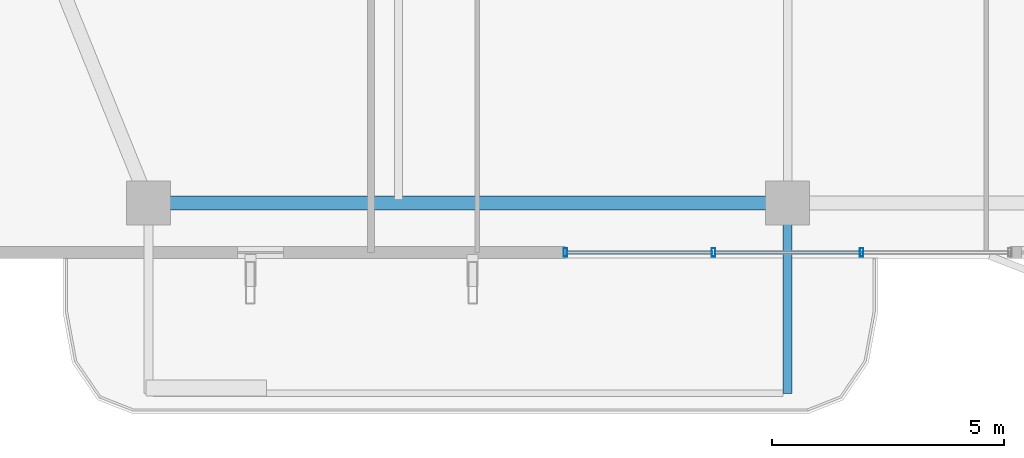
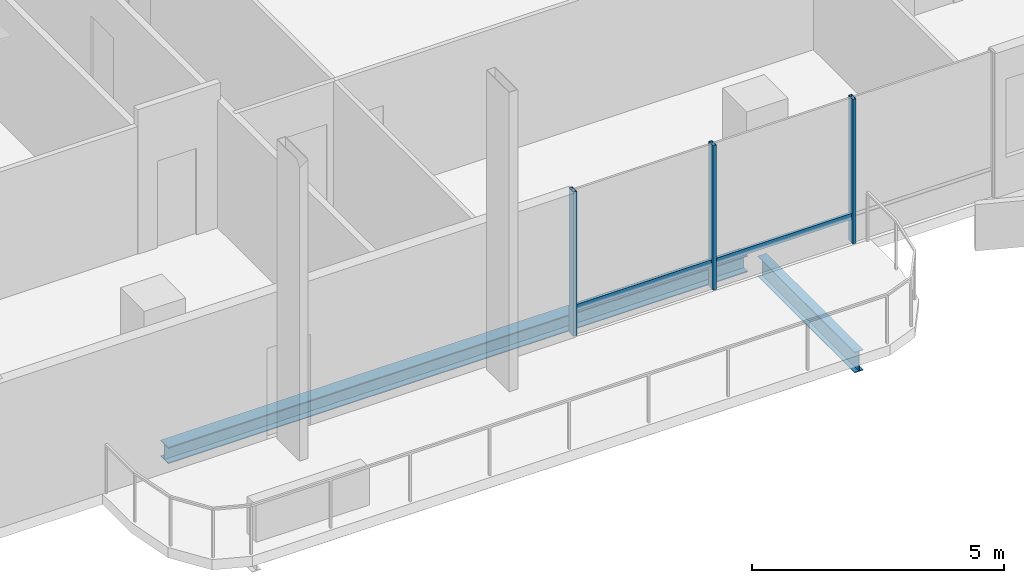
# One storey, part 2 of 25: 5 members, 2 beams, 1 element without a shape of its own.
"""IFC4 building model written with IfcOpenShell, lengths in metres."""

from ifc_helpers import new_model, si_unit, direction, frame, origin, origin_2d, place, context, subcontext, project, spatial, hollow_rectangle, i_section, extrude, material, layer, layer_set, material_profile, profile_set, type_object, element, aggregate, save


model = new_model("IFC4")

# Units and contexts
model_context = context("Model", 3, precision=1e-05, world=origin(), true_north=direction((0.0, 1.0)))
body_context = subcontext(model_context, "Body", "Model", "MODEL_VIEW")
ifc_project = project(units=[si_unit("LENGTHUNIT", "METRE"), si_unit("AREAUNIT", "SQUARE_METRE"), si_unit("VOLUMEUNIT", "CUBIC_METRE"), si_unit("PLANEANGLEUNIT", "RADIAN"), si_unit("MASSUNIT", "GRAM", prefix="KILO")], contexts=[model_context])

# Site, building, storey
site_placement = place(None, origin())
site = spatial("IfcSite", under=ifc_project, at=site_placement, CompositionType="ELEMENT")
building_placement = place(site_placement, origin())
building = spatial("IfcBuilding", under=site, at=building_placement, Name="Belovzor Exchange Tower", CompositionType="ELEMENT")
storey_placement = place(building_placement, frame((0.0, 0.0, 265.35009765625)))
storey = spatial("IfcBuildingStorey", under=building, at=storey_placement, Name="L66", CompositionType="ELEMENT", Elevation=265.35009765625)

# Beam
ifc_material_1 = material(Name="Steel S355", Category="steel")
ifc_material_profile_1 = material_profile(ifc_material_1, i_section(OverallWidth=0.199951171875, OverallDepth=0.5, WebThickness=0.01025390625, FlangeThickness=0.01611328125, at=origin_2d()))
ifc_profile_set_1 = profile_set([ifc_material_profile_1], Name="Steel S355")
beam_type_1 = type_object("IfcBeamType", Name="Planted Balcony Cantilever Beam IPE 500", PredefinedType="BEAM", material=ifc_profile_set_1)
beam_1_placement = place(storey_placement, frame((28.800048828125, 4.839111328125, -0.5), z_axis=(0.0, -1.0, 0.0), x_axis=(1.0, 0.0, 0.0)))
element("IfcBeam", 1, at=beam_1_placement, inside=storey, type_object=beam_type_1, Name="BC-500 Planted Balcony Cantilever Beam IPE 500", PredefinedType="BEAM", context=body_context, shape_type="SweptSolid", body=[
    extrude(i_section(OverallWidth=0.199951171875, OverallDepth=0.5, WebThickness=0.01025390625, FlangeThickness=0.01611328125, at=origin_2d()), origin(), (0.0, 0.0, 1.0), 3.85009765625),
])

# Curtain wall, members
ifc_material_2 = material(Name="Anodised Aluminium Framing", Category="aluminium")
ifc_layer = layer(ifc_material_2, 0.179931640625)
ifc_layer_set = layer_set([ifc_layer], Name="Anodised Aluminium Framing")
curtain_wall_type = type_object("IfcCurtainWallType", Name="Recessed Loggia Low-Iron Triple-Glazed Curtain Wall", PredefinedType="NOTDEFINED", material=ifc_layer_set)
curtain_wall_placement = place(storey_placement, origin())
curtain_wall = element("IfcCurtainWall", 2, at=curtain_wall_placement, inside=storey, type_object=curtain_wall_type, Name="CW3 Recessed Loggia Low-Iron Triple-Glazed Curtain Wall L66", PredefinedType="NOTDEFINED")
ifc_material_3 = material(Name="Steel S355", Category="steel")
ifc_material_profile_2 = material_profile(ifc_material_3, hollow_rectangle(XDim=0.074951171875, YDim=0.179931640625, WallThickness=0.0048828125, at=origin_2d()))
ifc_profile_set_2 = profile_set([ifc_material_profile_2], Name="Steel S355")
member_type_1 = type_object("IfcMemberType", Name="Thermally Broken Curtain Wall Mullion 180x75", PredefinedType="MULLION", material=ifc_profile_set_2)
member_1_placement = place(storey_placement, frame((30.39990234375, 4.030029296875, 0.0), z_axis=(0.0, 0.0, 1.0), x_axis=(-1.0, 0.0, 0.0)))
member_1 = element("IfcMember", 3, at=member_1_placement, type_object=member_type_1, Name="CW-M180 Curtain Wall Mullion 2", PredefinedType="MULLION", context=body_context, shape_type="SweptSolid", body=[
    extrude(hollow_rectangle(XDim=0.074951171875, YDim=0.179931640625, WallThickness=0.0048828125, at=origin_2d()), origin(), (0.0, 0.0, 1.0), 3.5),
])
member_2_placement = place(storey_placement, frame((27.199951171875, 4.030029296875, 0.0), z_axis=(0.0, 0.0, 1.0), x_axis=(-1.0, 0.0, 0.0)))
member_2 = element("IfcMember", 4, at=member_2_placement, type_object=member_type_1, Name="CW-M180 Curtain Wall Mullion 3", PredefinedType="MULLION", context=body_context, shape_type="SweptSolid", body=[
    extrude(hollow_rectangle(XDim=0.074951171875, YDim=0.179931640625, WallThickness=0.0048828125, at=origin_2d()), origin(), (0.0, 0.0, 1.0), 3.5),
])
member_3_placement = place(storey_placement, frame((24.0, 4.030029296875, 0.0), z_axis=(0.0, 0.0, 1.0), x_axis=(-1.0, 0.0, 0.0)))
member_3 = element("IfcMember", 5, at=member_3_placement, type_object=member_type_1, Name="CW-M180 Curtain Wall Mullion 4", PredefinedType="MULLION", context=body_context, shape_type="SweptSolid", body=[
    extrude(hollow_rectangle(XDim=0.074951171875, YDim=0.179931640625, WallThickness=0.0048828125, at=origin_2d()), origin(), (0.0, 0.0, 1.0), 3.5),
])
ifc_material_4 = material(Name="Steel S355", Category="steel")
ifc_material_profile_3 = material_profile(ifc_material_4, hollow_rectangle(XDim=0.06005859375, YDim=0.14990234375, WallThickness=0.00390625, at=origin_2d()))
ifc_profile_set_3 = profile_set([ifc_material_profile_3], Name="Steel S355")
member_type_2 = type_object("IfcMemberType", Name="Thermally Broken Curtain Wall Transom 150x60", PredefinedType="USERDEFINED", material=ifc_profile_set_3)
member_4_placement = place(storey_placement, frame((30.39208984375, 4.030029296875, 0.6298828125), z_axis=(-1.0, 0.0, 0.0), x_axis=(0.0, -1.0, 0.0)))
member_4 = element("IfcMember", 6, at=member_4_placement, type_object=member_type_2, Name="CW-T150 Curtain Wall Transom 2", ObjectType="TRANSOM", PredefinedType="USERDEFINED", context=body_context, shape_type="SweptSolid", body=[
    extrude(hollow_rectangle(XDim=0.06005859375, YDim=0.14990234375, WallThickness=0.00390625, at=origin_2d()), origin(), (0.0, 0.0, 1.0), 3.18408203125),
])
member_5_placement = place(storey_placement, frame((27.19189453125, 4.030029296875, 0.6298828125), z_axis=(-1.0, 0.0, 0.0), x_axis=(0.0, -1.0, 0.0)))
member_5 = element("IfcMember", 7, at=member_5_placement, type_object=member_type_2, Name="CW-T150 Curtain Wall Transom 3", ObjectType="TRANSOM", PredefinedType="USERDEFINED", context=body_context, shape_type="SweptSolid", body=[
    extrude(hollow_rectangle(XDim=0.06005859375, YDim=0.14990234375, WallThickness=0.00390625, at=origin_2d()), origin(), (0.0, 0.0, 1.0), 3.183837890625),
])
aggregate(curtain_wall, [member_1, member_2, member_3, member_4, member_5])

# Beam
ifc_material_5 = material(Name="Steel S355", Category="steel")
ifc_material_profile_4 = material_profile(ifc_material_5, i_section(OverallWidth=0.300048828125, OverallDepth=0.39990234375, WebThickness=0.013427734375, FlangeThickness=0.02392578125, at=origin_2d()))
ifc_profile_set_4 = profile_set([ifc_material_profile_4], Name="Steel S355")
beam_type_2 = type_object("IfcBeamType", Name="Zone 5 Primary Girder HEB 400", PredefinedType="BEAM", material=ifc_profile_set_4)
beam_2_placement = place(storey_placement, frame((15.260986328125, 5.10009765625, -0.4501953125), z_axis=(1.0, 0.0, 0.0), x_axis=(0.0, 1.0, 0.0)))
element("IfcBeam", 8, at=beam_2_placement, inside=storey, type_object=beam_type_2, Name="FG-Z5 Zone 5 Primary Girder HEB 400", PredefinedType="BEAM", context=body_context, shape_type="SweptSolid", body=[
    extrude(i_section(OverallWidth=0.300048828125, OverallDepth=0.39990234375, WebThickness=0.013427734375, FlangeThickness=0.02392578125, at=origin_2d()), origin(), (0.0, 0.0, 1.0), 13.278076171875),
])

save(model, "model.ifc")
